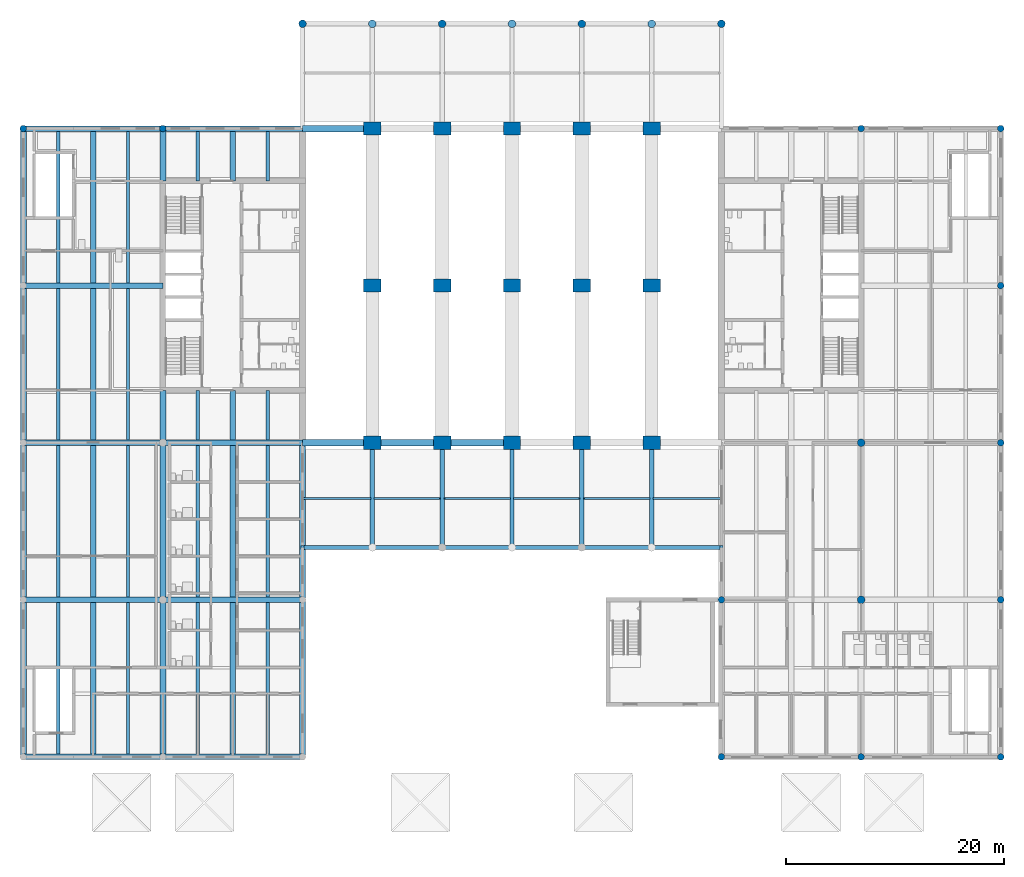
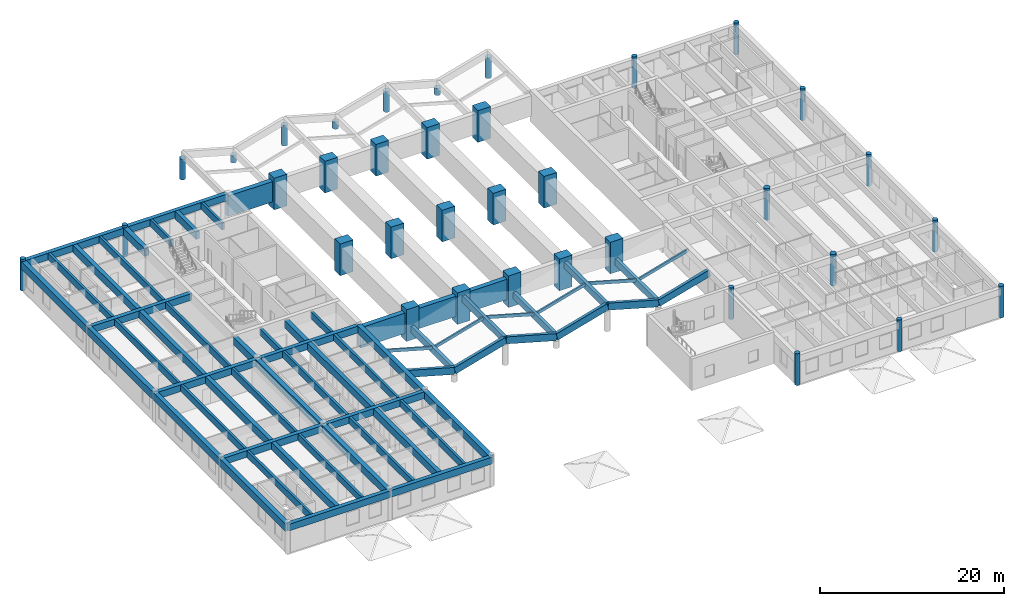
# One storey, part 2 of 19: 64 beams, 35 columns.
"""IFC4 building model written with IfcOpenShell, lengths in metres."""

import ifcopenshell
import ifcopenshell.guid

model = None  # the IFC model being written
_history = None  # IfcOwnerHistory: only IFC2X3 demands one
_inside = {}  # id of a spatial element -> (the spatial element, [elements in it])
_under = {}  # id of a project, library or spatial element -> (it, [spatial elements below it])
_declared = {}  # id of a project -> (the project, [libraries it declares])
_typed = {}  # id of a type object -> (the type object, [elements of that type])
_made_of = {}  # id of a material, layer set ... -> (it, [elements and type objects made of it])


def new_model(schema):
    """Start an empty IFC model of exactly this schema.

    Asked for "IFC4X3", IfcOpenShell would pick the latest addendum, in which some entities
    have other attributes; the version numbers below select the first issue.
    IFC2X3 requires an IfcOwnerHistory on every rooted entity: one is made here for all.
    """
    global model, _history
    if schema == "IFC4X3":
        model = ifcopenshell.file(schema_version=(4, 3, 0, 0))
    else:
        model = ifcopenshell.file(schema=schema)
    _inside.clear()
    _under.clear()
    _declared.clear()
    _typed.clear()
    _made_of.clear()
    _history = None
    if model.schema == "IFC2X3":
        org = make("IfcOrganization", Name="unknown")
        user = make(
            "IfcPersonAndOrganization",
            ThePerson=make("IfcPerson", FamilyName="unknown"),
            TheOrganization=org,
        )
        app = make(
            "IfcApplication",
            ApplicationDeveloper=org,
            Version="unknown",
            ApplicationFullName="unknown",
            ApplicationIdentifier="unknown",
        )
        _history = make(
            "IfcOwnerHistory",
            OwningUser=user,
            OwningApplication=app,
            ChangeAction="ADDED",
            CreationDate=0,
        )
    return model


def make(cls, **values):
    """One entity of the class cls with the attributes given. An attribute that is None is left unset."""
    return model.create_entity(
        cls, **{name: value for name, value in values.items() if value is not None}
    )


def rooted(cls, **values):
    """An entity with a GlobalId (a new one), such as an element, a storey or a relation."""
    return make(cls, GlobalId=ifcopenshell.guid.new(), OwnerHistory=_history, **values)


def si_unit(unit_type, name, prefix=None):
    """IfcSIUnit, for example si_unit("LENGTHUNIT", "METRE", prefix="MILLI")."""
    return make("IfcSIUnit", UnitType=unit_type, Prefix=prefix, Name=name)


def assignment(units):
    """IfcUnitAssignment: the units of a project."""
    return None if units is None else make("IfcUnitAssignment", Units=units)


def point(xyz):
    """IfcCartesianPoint."""
    return None if xyz is None else make("IfcCartesianPoint", Coordinates=xyz)


def direction(xyz):
    """IfcDirection."""
    return None if xyz is None else make("IfcDirection", DirectionRatios=xyz)


def frame(location, z_axis=None, x_axis=None):
    """IfcAxis2Placement3D, a coordinate frame: its origin and axes. An axis left out is left unset."""
    return make(
        "IfcAxis2Placement3D",
        Location=point(location),
        Axis=direction(z_axis),
        RefDirection=direction(x_axis),
    )


def frame_2d(location, x_axis=None):
    """IfcAxis2Placement2D, a coordinate frame in the plane: its origin and x axis."""
    return make(
        "IfcAxis2Placement2D", Location=point(location), RefDirection=direction(x_axis)
    )


def origin():
    """The frame at (0, 0, 0) with its axes left unset."""
    return frame((0.0, 0.0, 0.0))


def origin_2d():
    """The frame at (0, 0) in the plane with its x axis left unset."""
    return frame_2d((0.0, 0.0))


def place(relative_to, where):
    """IfcLocalPlacement: puts the frame where relative to a parent placement (None: the world)."""
    return make(
        "IfcLocalPlacement", PlacementRelTo=relative_to, RelativePlacement=where
    )


def context(
    kind, dimensions, precision=None, world=None, true_north=None, identifier=None
):
    """IfcGeometricRepresentationContext, for example the 3D "Model" context."""
    return make(
        "IfcGeometricRepresentationContext",
        ContextIdentifier=identifier,
        ContextType=kind,
        CoordinateSpaceDimension=dimensions,
        Precision=precision,
        WorldCoordinateSystem=world,
        TrueNorth=true_north,
    )


def subcontext(parent, identifier, kind, view, scale=None):
    """IfcGeometricRepresentationSubContext, for example "Body" below "Model"."""
    return make(
        "IfcGeometricRepresentationSubContext",
        ContextIdentifier=identifier,
        ContextType=kind,
        ParentContext=parent,
        TargetScale=scale,
        TargetView=view,
    )


def project(units=None, contexts=None):
    """IfcProject with its units and contexts."""
    return rooted(
        "IfcProject",
        Name="project",
        RepresentationContexts=contexts,
        UnitsInContext=assignment(units),
    )


def spatial(cls, under=None, at=None, **own):
    """A site, building, storey or space (cls), placed at a placement, below another one or the project."""
    s = rooted(cls, ObjectPlacement=at, **own)
    if under is not None:
        _under.setdefault(under.id(), (under, []))[1].append(s)
    return s


def profile(cls, at=None, kind="AREA", **sizes):
    """A parametric profile (cls). Its sizes go by their IFC names, for example OverallWidth=200.0."""
    return make(cls, ProfileType=kind, Position=at, **sizes)


def rectangle(**sizes):
    """IfcRectangleProfileDef."""
    return profile("IfcRectangleProfileDef", **sizes)


def circle(**sizes):
    """IfcCircleProfileDef."""
    return profile("IfcCircleProfileDef", **sizes)


def extrude(swept, where, along, depth):
    """IfcExtrudedAreaSolid: the profile swept, set in the frame where, extruded along a direction by depth."""
    return make(
        "IfcExtrudedAreaSolid",
        SweptArea=swept,
        Position=where,
        ExtrudedDirection=direction(along),
        Depth=depth,
    )


def shape(context_of_items, identifier, shape_type, items):
    """IfcShapeRepresentation: the items that make up one representation, for example the "Body"."""
    return make(
        "IfcShapeRepresentation",
        ContextOfItems=context_of_items,
        RepresentationIdentifier=identifier,
        RepresentationType=shape_type,
        Items=items,
    )


def material(Name=None, Category=None):
    """IfcMaterial."""
    return make("IfcMaterial", Name=Name, Category=Category)


def material_profile(
    of_material, cross_section, Name=None, Category=None, Priority=None
):
    """IfcMaterialProfile: a cross section and its material."""
    return make(
        "IfcMaterialProfile",
        Name=Name,
        Material=of_material,
        Profile=cross_section,
        Priority=Priority,
        Category=Category,
    )


def profile_set(profiles, Name=None, composite=None):
    """IfcMaterialProfileSet."""
    return make(
        "IfcMaterialProfileSet",
        Name=Name,
        MaterialProfiles=profiles,
        CompositeProfile=composite,
    )


def made_of(thing, what):
    """Note that an element or type object is made of a material, layer set ...; save() writes the relation."""
    if what is not None:
        _made_of.setdefault(what.id(), (what, []))[1].append(thing)
    return thing


def type_object(cls, material=None, **own):
    """A type object (cls), such as IfcWallType, which elements share."""
    return made_of(rooted(cls, **own), material)


def element(
    cls,
    number,
    at=None,
    inside=None,
    cuts=None,
    type_object=None,
    material=None,
    context=None,
    identifier="Body",
    shape_type=None,
    held_by="IfcProductDefinitionShape",
    body=None,
    shapes=None,
    **own,
):
    """One element of the class cls, such as IfcWall. Its Tag is "e" and its number.

    at: its placement. inside: the storey or other place that contains it. cuts: it is an
    opening in that element (IfcRelVoidsElement). A single representation is given by context,
    identifier, shape_type and body (its items); several are given by shapes. held_by: the class
    of the entity that holds the representations. save() writes the other relations.
    """
    e = rooted(cls, Tag="e%d" % number, ObjectPlacement=at, **own)
    if body is not None:
        shapes = [shape(context, identifier, shape_type, body)]
    if shapes is not None:
        e.Representation = make(held_by, Representations=shapes)
    if inside is not None:
        _inside.setdefault(inside.id(), (inside, []))[1].append(e)
    if cuts is not None:
        rooted(
            "IfcRelVoidsElement", RelatingBuildingElement=cuts, RelatedOpeningElement=e
        )
    if type_object is not None:
        _typed.setdefault(type_object.id(), (type_object, []))[1].append(e)
    return made_of(e, material)


def aggregate(whole, parts):
    """IfcRelAggregates: a whole, such as a stair, and the parts it consists of."""
    return rooted("IfcRelAggregates", RelatingObject=whole, RelatedObjects=parts)


def save(model, path):
    """Write the relations noted so far, then the file.

    IfcRelAggregates (storeys below a building ...), IfcRelContainedInSpatialStructure (elements
    in a storey), IfcRelDefinesByType, IfcRelAssociatesMaterial and IfcRelDeclares: one each for
    every whole, place, type object, material and project.
    """
    for whole, parts in _under.values():
        aggregate(whole, parts)
    for where, things in _inside.values():
        rooted(
            "IfcRelContainedInSpatialStructure",
            RelatedElements=things,
            RelatingStructure=where,
        )
    for kind, things in _typed.values():
        rooted("IfcRelDefinesByType", RelatedObjects=things, RelatingType=kind)
    for what, things in _made_of.values():
        rooted("IfcRelAssociatesMaterial", RelatedObjects=things, RelatingMaterial=what)
    for by, libraries in _declared.values():
        rooted("IfcRelDeclares", RelatingContext=by, RelatedDefinitions=libraries)
    model.write(path)


model = new_model("IFC4")

# Units and contexts
model_context = context("Model", 3, precision=1e-05, world=origin(), true_north=direction((0.0, 1.0)))
body_context = subcontext(model_context, "Body", "Model", "MODEL_VIEW")
ifc_project = project(units=[si_unit("LENGTHUNIT", "METRE"), si_unit("AREAUNIT", "SQUARE_METRE"), si_unit("VOLUMEUNIT", "CUBIC_METRE"), si_unit("PLANEANGLEUNIT", "RADIAN"), si_unit("MASSUNIT", "GRAM", prefix="KILO")], contexts=[model_context])

# Site, building, storey
site_placement = place(None, origin())
site = spatial("IfcSite", under=ifc_project, at=site_placement, CompositionType="ELEMENT")
building_placement = place(site_placement, origin())
building = spatial("IfcBuilding", under=site, at=building_placement, Name="Fogon Plaza Fire Station and Headquarters Tower", CompositionType="ELEMENT")
storey_placement = place(building_placement, frame((0.0, 0.0, 4.199951171875)))
storey = spatial("IfcBuildingStorey", under=building, at=storey_placement, Name="L01", CompositionType="ELEMENT", Elevation=4.199951171875)

# Columns
ifc_material_1 = material(Name="Concrete C40", Category="concrete")
ifc_material_profile_1 = material_profile(ifc_material_1, rectangle(XDim=1.60009765625, YDim=1.199951171875, at=origin_2d()), Name="RC 1600x1200")
ifc_profile_set_1 = profile_set([ifc_material_profile_1], Name="Concrete C40")
column_type_1 = type_object("IfcColumnType", Name="COLUMN RC 1600x1200", PredefinedType="PILASTER", material=ifc_profile_set_1)
for number, where, z_axis, x_axis, name in (
    (1, (32.0, 28.800048828125, 0.0), (0.0, 0.0, 1.0), (1.0, 0.0, 0.0), "col-L01-4D"),
    (2, (32.0, 43.199951171875, 0.0), (0.0, 0.0, 1.0), (1.0, 0.0, 0.0), "col-L01-4F"),
    (3, (32.0, 57.60009765625, 0.0), (0.0, 0.0, 1.0), (1.0, 0.0, 0.0), "col-L01-4H"),
    (4, (38.39990234375, 28.800048828125, 0.0), (0.0, 0.0, 1.0), (1.0, 0.0, 0.0), "col-L01-5D"),
    (5, (38.39990234375, 43.199951171875, 0.0), (0.0, 0.0, 1.0), (1.0, 0.0, 0.0), "col-L01-5F"),
    (6, (38.39990234375, 57.60009765625, 0.0), (0.0, 0.0, 1.0), (1.0, 0.0, 0.0), "col-L01-5H"),
    (7, (44.800048828125, 28.800048828125, 0.0), (0.0, 0.0, 1.0), (1.0, 0.0, 0.0), "col-L01-6D"),
    (8, (44.800048828125, 43.199951171875, 0.0), (0.0, 0.0, 1.0), (1.0, 0.0, 0.0), "col-L01-6F"),
    (9, (44.800048828125, 57.60009765625, 0.0), (0.0, 0.0, 1.0), (1.0, 0.0, 0.0), "col-L01-6H"),
    (10, (51.199951171875, 28.800048828125, 0.0), (0.0, 0.0, 1.0), (1.0, 0.0, 0.0), "col-L01-7D"),
    (11, (51.199951171875, 43.199951171875, 0.0), (0.0, 0.0, 1.0), (1.0, 0.0, 0.0), "col-L01-7F"),
    (12, (51.199951171875, 57.60009765625, 0.0), (0.0, 0.0, 1.0), (1.0, 0.0, 0.0), "col-L01-7H"),
    (13, (57.60009765625, 28.800048828125, 0.0), (0.0, 0.0, 1.0), (1.0, 0.0, 0.0), "col-L01-8D"),
    (14, (57.60009765625, 43.199951171875, 0.0), (0.0, 0.0, 1.0), (1.0, 0.0, 0.0), "col-L01-8F"),
    (15, (57.60009765625, 57.60009765625, 0.0), (0.0, 0.0, 1.0), (1.0, 0.0, 0.0), "col-L01-8H"),
):
    element("IfcColumn", number, at=place(storey_placement, frame(where, z_axis=z_axis, x_axis=x_axis)), inside=storey, type_object=column_type_1, Name=name, PredefinedType="PILASTER", context=body_context, shape_type="SweptSolid", body=[
        extrude(rectangle(XDim=1.60009765625, YDim=1.199951171875, at=origin_2d()), origin(), (0.0, 0.0, 1.0), 4.199951171875),
    ])
ifc_material_2 = material(Name="Concrete C40", Category="concrete")
ifc_material_profile_2 = material_profile(ifc_material_2, circle(Radius=0.300048828125, at=origin_2d()), Name="RC D600")
ifc_profile_set_2 = profile_set([ifc_material_profile_2], Name="Concrete C40")
column_type_2 = type_object("IfcColumnType", Name="COLUMN RC D600", PredefinedType="COLUMN", material=ifc_profile_set_2)
for number, where, z_axis, x_axis, name in (
    (16, (0.0, 57.60009765625, 0.0), (0.0, 0.0, 1.0), (1.0, 0.0, 0.0), "col-L01-1H"),
    (17, (12.800048828125, 57.60009765625, 0.0), (0.0, 0.0, 1.0), (1.0, 0.0, 0.0), "col-L01-2H"),
    (18, (89.60009765625, 0.0, 0.0), (0.0, 0.0, 1.0), (1.0, 0.0, 0.0), "col-L01-11A"),
    (19, (89.60009765625, 14.39990234375, 0.0), (0.0, 0.0, 1.0), (1.0, 0.0, 0.0), "col-L01-11B"),
    (20, (89.60009765625, 28.800048828125, 0.0), (0.0, 0.0, 1.0), (1.0, 0.0, 0.0), "col-L01-11D"),
    (21, (89.60009765625, 43.199951171875, 0.0), (0.0, 0.0, 1.0), (1.0, 0.0, 0.0), "col-L01-11F"),
    (22, (89.60009765625, 57.60009765625, 0.0), (0.0, 0.0, 1.0), (1.0, 0.0, 0.0), "col-L01-11H"),
    (23, (76.800048828125, 0.0, 0.0), (0.0, 0.0, 1.0), (1.0, 0.0, 0.0), "col-L01-10A"),
    (24, (76.800048828125, 57.60009765625, 0.0), (0.0, 0.0, 1.0), (1.0, 0.0, 0.0), "col-L01-10H"),
    (25, (64.0, 0.0, 0.0), (0.0, 0.0, 1.0), (1.0, 0.0, 0.0), "col-L01-9A"),
    (26, (64.0, 14.39990234375, 0.0), (0.0, 0.0, 1.0), (1.0, 0.0, 0.0), "col-L01-9B"),
):
    element("IfcColumn", number, at=place(storey_placement, frame(where, z_axis=z_axis, x_axis=x_axis)), inside=storey, type_object=column_type_2, Name=name, PredefinedType="COLUMN", context=body_context, shape_type="SweptSolid", body=[
        extrude(circle(Radius=0.300048828125, at=origin_2d()), origin(), (0.0, 0.0, 1.0), 4.199951171875),
    ])
ifc_material_3 = material(Name="Concrete C40", Category="concrete")
ifc_material_profile_3 = material_profile(ifc_material_3, circle(Radius=0.35009765625, at=origin_2d()), Name="RC D700")
ifc_profile_set_3 = profile_set([ifc_material_profile_3], Name="Concrete C40")
column_type_3 = type_object("IfcColumnType", Name="COLUMN RC D700", PredefinedType="COLUMN", material=ifc_profile_set_3)
for number, where, z_axis, x_axis, name in (
    (27, (76.800048828125, 14.39990234375, 0.0), (0.0, 0.0, 1.0), (1.0, 0.0, 0.0), "col-L01-10B"),
    (28, (76.800048828125, 28.800048828125, 0.0), (0.0, 0.0, 1.0), (1.0, 0.0, 0.0), "col-L01-10D"),
):
    element("IfcColumn", number, at=place(storey_placement, frame(where, z_axis=z_axis, x_axis=x_axis)), inside=storey, type_object=column_type_3, Name=name, PredefinedType="COLUMN", context=body_context, shape_type="SweptSolid", body=[
        extrude(circle(Radius=0.35009765625, at=origin_2d()), origin(), (0.0, 0.0, 1.0), 4.199951171875),
    ])
column_1_placement = place(storey_placement, frame((25.60009765625, 67.199951171875, 0.0), z_axis=(0.0, 0.0, 1.0), x_axis=(1.0, 0.0, 0.0)))
element("IfcColumn", 29, at=column_1_placement, inside=storey, type_object=column_type_3, Name="col-L01-CF3", PredefinedType="COLUMN", context=body_context, shape_type="SweptSolid", body=[
    extrude(circle(Radius=0.35009765625, at=origin_2d()), origin(), (0.0, 0.0, 1.0), 2.75),
])
column_2_placement = place(storey_placement, frame((32.0, 67.199951171875, 0.0), z_axis=(0.0, 0.0, 1.0), x_axis=(1.0, 0.0, 0.0)))
element("IfcColumn", 30, at=column_2_placement, inside=storey, type_object=column_type_3, Name="col-L01-CF4", PredefinedType="COLUMN", context=body_context, shape_type="SweptSolid", body=[
    extrude(circle(Radius=0.35009765625, at=origin_2d()), origin(), (0.0, 0.0, 1.0), 0.949951171875),
])
column_3_placement = place(storey_placement, frame((38.39990234375, 67.199951171875, 0.0), z_axis=(0.0, 0.0, 1.0), x_axis=(1.0, 0.0, 0.0)))
element("IfcColumn", 31, at=column_3_placement, inside=storey, type_object=column_type_3, Name="col-L01-CF5", PredefinedType="COLUMN", context=body_context, shape_type="SweptSolid", body=[
    extrude(circle(Radius=0.35009765625, at=origin_2d()), origin(), (0.0, 0.0, 1.0), 2.75),
])
column_4_placement = place(storey_placement, frame((44.800048828125, 67.199951171875, 0.0), z_axis=(0.0, 0.0, 1.0), x_axis=(1.0, 0.0, 0.0)))
element("IfcColumn", 32, at=column_4_placement, inside=storey, type_object=column_type_3, Name="col-L01-CF6", PredefinedType="COLUMN", context=body_context, shape_type="SweptSolid", body=[
    extrude(circle(Radius=0.35009765625, at=origin_2d()), origin(), (0.0, 0.0, 1.0), 0.949951171875),
])
column_5_placement = place(storey_placement, frame((51.199951171875, 67.199951171875, 0.0), z_axis=(0.0, 0.0, 1.0), x_axis=(1.0, 0.0, 0.0)))
element("IfcColumn", 33, at=column_5_placement, inside=storey, type_object=column_type_3, Name="col-L01-CF7", PredefinedType="COLUMN", context=body_context, shape_type="SweptSolid", body=[
    extrude(circle(Radius=0.35009765625, at=origin_2d()), origin(), (0.0, 0.0, 1.0), 2.75),
])
column_6_placement = place(storey_placement, frame((57.60009765625, 67.199951171875, 0.0), z_axis=(0.0, 0.0, 1.0), x_axis=(1.0, 0.0, 0.0)))
element("IfcColumn", 34, at=column_6_placement, inside=storey, type_object=column_type_3, Name="col-L01-CF8", PredefinedType="COLUMN", context=body_context, shape_type="SweptSolid", body=[
    extrude(circle(Radius=0.35009765625, at=origin_2d()), origin(), (0.0, 0.0, 1.0), 0.949951171875),
])
column_7_placement = place(storey_placement, frame((64.0, 67.199951171875, 0.0), z_axis=(0.0, 0.0, 1.0), x_axis=(1.0, 0.0, 0.0)))
element("IfcColumn", 35, at=column_7_placement, inside=storey, type_object=column_type_3, Name="col-L01-CF9", PredefinedType="COLUMN", context=body_context, shape_type="SweptSolid", body=[
    extrude(circle(Radius=0.35009765625, at=origin_2d()), origin(), (0.0, 0.0, 1.0), 2.75),
])

# Beams
ifc_material_4 = material(Name="Concrete C40", Category="concrete")
ifc_material_profile_4 = material_profile(ifc_material_4, rectangle(XDim=0.199951171875, YDim=0.39990234375, at=origin_2d()), Name="RC 200x400")
ifc_profile_set_4 = profile_set([ifc_material_profile_4], Name="Concrete C40")
beam_type_1 = type_object("IfcBeamType", Name="BEAM RC 200x400", PredefinedType="BEAM", material=ifc_profile_set_4)
beam_1_placement = place(storey_placement, frame((25.60009765625, 23.699951171875, 3.449951171875), z_axis=(0.962654336292, 0.0, -0.270733501469), x_axis=(0.0, 1.0, 0.0)))
element("IfcBeam", 36, at=beam_1_placement, inside=storey, type_object=beam_type_1, Name="beam-L01-RCR1", PredefinedType="BEAM", context=body_context, shape_type="SweptSolid", body=[
    extrude(rectangle(XDim=0.199951171875, YDim=0.39990234375, at=origin_2d()), origin(), (0.0, 0.0, 1.0), 6.4404296875),
])
for number, where, z_axis, x_axis, name in (
    (37, (32.199951171875, 23.699951171875, 1.706298828125), (0.962650940154, 0.0, 0.270745576918), (0.0, 1.0, 0.0), "beam-L01-RCR2"),
    (38, (38.60009765625, 23.699951171875, 3.393798828125), (0.962650940154, 0.0, -0.270745576918), (0.0, 1.0, 0.0), "beam-L01-RCR3"),
    (39, (45.0, 23.699951171875, 1.706298828125), (0.962650940154, 0.0, 0.270745576918), (0.0, 1.0, 0.0), "beam-L01-RCR4"),
    (40, (51.39990234375, 23.699951171875, 3.393798828125), (0.962650940154, 0.0, -0.270745576918), (0.0, 1.0, 0.0), "beam-L01-RCR5"),
):
    element("IfcBeam", number, at=place(storey_placement, frame(where, z_axis=z_axis, x_axis=x_axis)), inside=storey, type_object=beam_type_1, Name=name, PredefinedType="BEAM", context=body_context, shape_type="SweptSolid", body=[
        extrude(rectangle(XDim=0.199951171875, YDim=0.39990234375, at=origin_2d()), origin(), (0.0, 0.0, 1.0), 6.23291015625),
    ])
beam_2_placement = place(storey_placement, frame((57.800048828125, 23.699951171875, 1.706298828125), z_axis=(0.962654336292, 0.0, 0.270733501469), x_axis=(0.0, 1.0, 0.0)))
element("IfcBeam", 41, at=beam_2_placement, inside=storey, type_object=beam_type_1, Name="beam-L01-RCR6", PredefinedType="BEAM", context=body_context, shape_type="SweptSolid", body=[
    extrude(rectangle(XDim=0.199951171875, YDim=0.39990234375, at=origin_2d()), origin(), (0.0, 0.0, 1.0), 6.4404296875),
])
ifc_material_5 = material(Name="Concrete C40", Category="concrete")
ifc_material_profile_5 = material_profile(ifc_material_5, rectangle(XDim=0.39990234375, YDim=0.89990234375, at=origin_2d()), Name="RC 400x900")
ifc_profile_set_5 = profile_set([ifc_material_profile_5], Name="Concrete C40")
beam_type_2 = type_object("IfcBeamType", Name="BEAM RC 400x900", PredefinedType="BEAM", material=ifc_profile_set_5)
for number, where, z_axis, x_axis, name in (
    (42, (32.0, 28.800048828125, 1.400146484375), (0.0, -1.0, 0.0), (1.0, 0.0, 0.0), "beam-L01-CFR2"),
    (43, (38.39990234375, 28.800048828125, 3.199951171875), (0.0, -1.0, 0.0), (1.0, 0.0, 0.0), "beam-L01-CFR3"),
    (44, (44.800048828125, 28.800048828125, 1.400146484375), (0.0, -1.0, 0.0), (1.0, 0.0, 0.0), "beam-L01-CFR4"),
    (45, (51.199951171875, 28.800048828125, 3.199951171875), (0.0, -1.0, 0.0), (1.0, 0.0, 0.0), "beam-L01-CFR5"),
    (46, (57.60009765625, 28.800048828125, 1.400146484375), (0.0, -1.0, 0.0), (1.0, 0.0, 0.0), "beam-L01-CFR6"),
):
    element("IfcBeam", number, at=place(storey_placement, frame(where, z_axis=z_axis, x_axis=x_axis)), inside=storey, type_object=beam_type_2, Name=name, PredefinedType="BEAM", context=body_context, shape_type="SweptSolid", body=[
        extrude(rectangle(XDim=0.39990234375, YDim=0.89990234375, at=origin_2d()), origin(), (0.0, 0.0, 1.0), 9.60009765625),
    ])
ifc_material_6 = material(Name="Concrete C40", Category="concrete")
ifc_material_profile_6 = material_profile(ifc_material_6, rectangle(XDim=0.39990234375, YDim=0.89990234375, at=origin_2d()), Name="RC 400x900")
ifc_profile_set_6 = profile_set([ifc_material_profile_6], Name="Concrete C40")
beam_type_3 = type_object("IfcBeamType", Name="BEAM RC 400x900 SPAN 4.8 TO 7.7 M", PredefinedType="BEAM", material=ifc_profile_set_6)
for number, where, z_axis, x_axis, name in (
    (47, (25.60009765625, 19.199951171875, 3.199951171875), (0.962657520105, 0.0, -0.270722180446), (0.0, 1.0, 0.0), "beam-L01-CBR1"),
    (48, (32.0, 19.199951171875, 1.400146484375), (0.962657520105, 0.0, 0.270722180446), (0.0, 1.0, 0.0), "beam-L01-CBR2"),
):
    element("IfcBeam", number, at=place(storey_placement, frame(where, z_axis=z_axis, x_axis=x_axis)), inside=storey, type_object=beam_type_3, Name=name, PredefinedType="BEAM", context=body_context, shape_type="SweptSolid", body=[
        extrude(rectangle(XDim=0.39990234375, YDim=0.89990234375, at=origin_2d()), origin(), (0.0, 0.0, 1.0), 6.648193359375),
    ])
beam_3_placement = place(storey_placement, frame((38.39990234375, 19.199951171875, 3.199951171875), z_axis=(0.962660211411, 0.0, -0.270712610281), x_axis=(0.0, 1.0, 0.0)))
element("IfcBeam", 49, at=beam_3_placement, inside=storey, type_object=beam_type_3, Name="beam-L01-CBR3", PredefinedType="BEAM", context=body_context, shape_type="SweptSolid", body=[
    extrude(rectangle(XDim=0.39990234375, YDim=0.89990234375, at=origin_2d()), origin(), (0.0, 0.0, 1.0), 6.6484375),
])
beam_4_placement = place(storey_placement, frame((44.800048828125, 19.199951171875, 1.400146484375), z_axis=(0.962657520105, 0.0, 0.270722180446), x_axis=(0.0, 1.0, 0.0)))
element("IfcBeam", 50, at=beam_4_placement, inside=storey, type_object=beam_type_3, Name="beam-L01-CBR4", PredefinedType="BEAM", context=body_context, shape_type="SweptSolid", body=[
    extrude(rectangle(XDim=0.39990234375, YDim=0.89990234375, at=origin_2d()), origin(), (0.0, 0.0, 1.0), 6.648193359375),
])
beam_5_placement = place(storey_placement, frame((51.199951171875, 19.199951171875, 3.199951171875), z_axis=(0.962660211411, 0.0, -0.270712610281), x_axis=(0.0, 1.0, 0.0)))
element("IfcBeam", 51, at=beam_5_placement, inside=storey, type_object=beam_type_3, Name="beam-L01-CBR5", PredefinedType="BEAM", context=body_context, shape_type="SweptSolid", body=[
    extrude(rectangle(XDim=0.39990234375, YDim=0.89990234375, at=origin_2d()), origin(), (0.0, 0.0, 1.0), 6.6484375),
])
beam_6_placement = place(storey_placement, frame((57.60009765625, 19.199951171875, 1.400146484375), z_axis=(0.962657520105, 0.0, 0.270722180446), x_axis=(0.0, 1.0, 0.0)))
element("IfcBeam", 52, at=beam_6_placement, inside=storey, type_object=beam_type_3, Name="beam-L01-CBR6", PredefinedType="BEAM", context=body_context, shape_type="SweptSolid", body=[
    extrude(rectangle(XDim=0.39990234375, YDim=0.89990234375, at=origin_2d()), origin(), (0.0, 0.0, 1.0), 6.648193359375),
])
ifc_material_7 = material(Name="Concrete C40", Category="concrete")
ifc_material_profile_7 = material_profile(ifc_material_7, rectangle(XDim=0.5, YDim=0.89990234375, at=origin_2d()), Name="RC 500x900")
ifc_profile_set_7 = profile_set([ifc_material_profile_7], Name="Concrete C40")
beam_type_4 = type_object("IfcBeamType", Name="BEAM RC 500x900", PredefinedType="BEAM", material=ifc_profile_set_7)
for number, where, z_axis, x_axis, name in (
    (53, (0.0, 0.0, 3.449951171875), (1.0, 0.0, 0.0), (0.0, 1.0, 0.0), "beam-L01-001"),
    (54, (12.800048828125, 0.0, 3.449951171875), (1.0, 0.0, 0.0), (0.0, 1.0, 0.0), "beam-L01-003"),
    (55, (0.0, 14.39990234375, 3.449951171875), (1.0, 0.0, 0.0), (0.0, 1.0, 0.0), "beam-L01-005"),
    (56, (12.800048828125, 14.39990234375, 3.449951171875), (1.0, 0.0, 0.0), (0.0, 1.0, 0.0), "beam-L01-007"),
    (57, (0.0, 28.800048828125, 3.449951171875), (1.0, 0.0, 0.0), (0.0, 1.0, 0.0), "beam-L01-009"),
    (58, (12.800048828125, 28.800048828125, 3.449951171875), (1.0, 0.0, 0.0), (0.0, 1.0, 0.0), "beam-L01-011"),
    (59, (0.0, 43.199951171875, 3.449951171875), (1.0, 0.0, 0.0), (0.0, 1.0, 0.0), "beam-L01-013"),
    (60, (0.0, 57.60009765625, 3.449951171875), (1.0, 0.0, 0.0), (0.0, 1.0, 0.0), "beam-L01-015"),
    (61, (12.800048828125, 57.60009765625, 3.449951171875), (1.0, 0.0, 0.0), (0.0, 1.0, 0.0), "beam-L01-017"),
):
    element("IfcBeam", number, at=place(storey_placement, frame(where, z_axis=z_axis, x_axis=x_axis)), inside=storey, type_object=beam_type_4, Name=name, PredefinedType="BEAM", context=body_context, shape_type="SweptSolid", body=[
        extrude(rectangle(XDim=0.5, YDim=0.89990234375, at=origin_2d()), origin(), (0.0, 0.0, 1.0), 12.800048828125),
    ])
ifc_material_8 = material(Name="Concrete C40", Category="concrete")
ifc_material_profile_8 = material_profile(ifc_material_8, rectangle(XDim=0.550048828125, YDim=1.0, at=origin_2d()), Name="RC 550x1000")
ifc_profile_set_8 = profile_set([ifc_material_profile_8], Name="Concrete C40")
beam_type_5 = type_object("IfcBeamType", Name="BEAM RC 550x1000", PredefinedType="BEAM", material=ifc_profile_set_8)
beam_7_placement = place(storey_placement, frame((0.0, 0.0, 3.400146484375), z_axis=(0.0, 1.0, 0.0), x_axis=(-1.0, 0.0, 0.0)))
element("IfcBeam", 62, at=beam_7_placement, inside=storey, type_object=beam_type_5, Name="beam-L01-019", PredefinedType="BEAM", context=body_context, shape_type="SweptSolid", body=[
    extrude(rectangle(XDim=0.550048828125, YDim=1.0, at=origin_2d()), origin(), (0.0, 0.0, 1.0), 14.39990234375),
])
beam_8_placement = place(storey_placement, frame((0.0, 14.39990234375, 3.400146484375), z_axis=(0.0, 1.0, 0.0), x_axis=(-1.0, 0.0, 0.0)))
element("IfcBeam", 63, at=beam_8_placement, inside=storey, type_object=beam_type_5, Name="beam-L01-021", PredefinedType="BEAM", context=body_context, shape_type="SweptSolid", body=[
    extrude(rectangle(XDim=0.550048828125, YDim=1.0, at=origin_2d()), origin(), (0.0, 0.0, 1.0), 14.400146484375),
])
beam_9_placement = place(storey_placement, frame((0.0, 28.800048828125, 3.400146484375), z_axis=(0.0, 1.0, 0.0), x_axis=(-1.0, 0.0, 0.0)))
element("IfcBeam", 64, at=beam_9_placement, inside=storey, type_object=beam_type_5, Name="beam-L01-023", PredefinedType="BEAM", context=body_context, shape_type="SweptSolid", body=[
    extrude(rectangle(XDim=0.550048828125, YDim=1.0, at=origin_2d()), origin(), (0.0, 0.0, 1.0), 14.39990234375),
])
beam_10_placement = place(storey_placement, frame((0.0, 43.199951171875, 3.400146484375), z_axis=(0.0, 1.0, 0.0), x_axis=(-1.0, 0.0, 0.0)))
element("IfcBeam", 65, at=beam_10_placement, inside=storey, type_object=beam_type_5, Name="beam-L01-025", PredefinedType="BEAM", context=body_context, shape_type="SweptSolid", body=[
    extrude(rectangle(XDim=0.550048828125, YDim=1.0, at=origin_2d()), origin(), (0.0, 0.0, 1.0), 14.400146484375),
])
beam_11_placement = place(storey_placement, frame((12.800048828125, 0.0, 3.400146484375), z_axis=(0.0, 1.0, 0.0), x_axis=(-1.0, 0.0, 0.0)))
element("IfcBeam", 66, at=beam_11_placement, inside=storey, type_object=beam_type_5, Name="beam-L01-027", PredefinedType="BEAM", context=body_context, shape_type="SweptSolid", body=[
    extrude(rectangle(XDim=0.550048828125, YDim=1.0, at=origin_2d()), origin(), (0.0, 0.0, 1.0), 14.39990234375),
])
beam_12_placement = place(storey_placement, frame((12.800048828125, 14.39990234375, 3.400146484375), z_axis=(0.0, 1.0, 0.0), x_axis=(-1.0, 0.0, 0.0)))
element("IfcBeam", 67, at=beam_12_placement, inside=storey, type_object=beam_type_5, Name="beam-L01-029", PredefinedType="BEAM", context=body_context, shape_type="SweptSolid", body=[
    extrude(rectangle(XDim=0.550048828125, YDim=1.0, at=origin_2d()), origin(), (0.0, 0.0, 1.0), 14.400146484375),
])
beam_13_placement = place(storey_placement, frame((25.60009765625, 0.0, 3.400146484375), z_axis=(0.0, 1.0, 0.0), x_axis=(-1.0, 0.0, 0.0)))
element("IfcBeam", 68, at=beam_13_placement, inside=storey, type_object=beam_type_5, Name="beam-L01-031", PredefinedType="BEAM", context=body_context, shape_type="SweptSolid", body=[
    extrude(rectangle(XDim=0.550048828125, YDim=1.0, at=origin_2d()), origin(), (0.0, 0.0, 1.0), 14.39990234375),
])
beam_14_placement = place(storey_placement, frame((25.60009765625, 14.39990234375, 3.400146484375), z_axis=(0.0, 1.0, 0.0), x_axis=(-1.0, 0.0, 0.0)))
element("IfcBeam", 69, at=beam_14_placement, inside=storey, type_object=beam_type_5, Name="beam-L01-033", PredefinedType="BEAM", context=body_context, shape_type="SweptSolid", body=[
    extrude(rectangle(XDim=0.550048828125, YDim=1.0, at=origin_2d()), origin(), (0.0, 0.0, 1.0), 14.400146484375),
])
ifc_material_9 = material(Name="Concrete C40", Category="concrete")
ifc_material_profile_9 = material_profile(ifc_material_9, rectangle(XDim=0.550048828125, YDim=1.0, at=origin_2d()), Name="RC 550x1000")
ifc_profile_set_9 = profile_set([ifc_material_profile_9], Name="Concrete C40")
beam_type_6 = type_object("IfcBeamType", Name="BEAM RC 550x1000 SPAN 3.0 TO 4.8 M", PredefinedType="BEAM", material=ifc_profile_set_9)
for number, where, z_axis, x_axis, name in (
    (70, (12.800048828125, 28.800048828125, 3.400146484375), (0.0, 1.0, 0.0), (-1.0, 0.0, 0.0), "beam-L01-035"),
    (71, (12.800048828125, 52.800048828125, 3.400146484375), (0.0, 1.0, 0.0), (-1.0, 0.0, 0.0), "beam-L01-037"),
):
    element("IfcBeam", number, at=place(storey_placement, frame(where, z_axis=z_axis, x_axis=x_axis)), inside=storey, type_object=beam_type_6, Name=name, PredefinedType="BEAM", context=body_context, shape_type="SweptSolid", body=[
        extrude(rectangle(XDim=0.550048828125, YDim=1.0, at=origin_2d()), origin(), (0.0, 0.0, 1.0), 4.800048828125),
    ])
ifc_material_10 = material(Name="Concrete C40", Category="concrete")
ifc_material_profile_10 = material_profile(ifc_material_10, rectangle(XDim=0.300048828125, YDim=0.89990234375, at=origin_2d()), Name="RC 300x900")
ifc_profile_set_10 = profile_set([ifc_material_profile_10], Name="Concrete C40")
beam_type_7 = type_object("IfcBeamType", Name="JOIST RC 300x900", PredefinedType="JOIST", material=ifc_profile_set_10)
beam_15_placement = place(storey_placement, frame((3.199951171875, 0.25, 3.449951171875), z_axis=(0.0, 1.0, 0.0), x_axis=(-1.0, 0.0, 0.0)))
element("IfcBeam", 72, at=beam_15_placement, inside=storey, type_object=beam_type_7, Name="beam-L01-055", PredefinedType="JOIST", context=body_context, shape_type="SweptSolid", body=[
    extrude(rectangle(XDim=0.300048828125, YDim=0.89990234375, at=origin_2d()), origin(), (0.0, 0.0, 1.0), 13.89990234375),
])
beam_16_placement = place(storey_placement, frame((3.199951171875, 14.64990234375, 3.449951171875), z_axis=(0.0, 1.0, 0.0), x_axis=(-1.0, 0.0, 0.0)))
element("IfcBeam", 73, at=beam_16_placement, inside=storey, type_object=beam_type_7, Name="beam-L01-057", PredefinedType="JOIST", context=body_context, shape_type="SweptSolid", body=[
    extrude(rectangle(XDim=0.300048828125, YDim=0.89990234375, at=origin_2d()), origin(), (0.0, 0.0, 1.0), 13.900146484375),
])
beam_17_placement = place(storey_placement, frame((3.199951171875, 29.050048828125, 3.449951171875), z_axis=(0.0, 1.0, 0.0), x_axis=(-1.0, 0.0, 0.0)))
element("IfcBeam", 74, at=beam_17_placement, inside=storey, type_object=beam_type_7, Name="beam-L01-059", PredefinedType="JOIST", context=body_context, shape_type="SweptSolid", body=[
    extrude(rectangle(XDim=0.300048828125, YDim=0.89990234375, at=origin_2d()), origin(), (0.0, 0.0, 1.0), 13.89990234375),
])
beam_18_placement = place(storey_placement, frame((3.199951171875, 43.449951171875, 3.449951171875), z_axis=(0.0, 1.0, 0.0), x_axis=(-1.0, 0.0, 0.0)))
element("IfcBeam", 75, at=beam_18_placement, inside=storey, type_object=beam_type_7, Name="beam-L01-061", PredefinedType="JOIST", context=body_context, shape_type="SweptSolid", body=[
    extrude(rectangle(XDim=0.300048828125, YDim=0.89990234375, at=origin_2d()), origin(), (0.0, 0.0, 1.0), 13.900146484375),
])
beam_19_placement = place(storey_placement, frame((9.60009765625, 0.25, 3.449951171875), z_axis=(0.0, 1.0, 0.0), x_axis=(-1.0, 0.0, 0.0)))
element("IfcBeam", 76, at=beam_19_placement, inside=storey, type_object=beam_type_7, Name="beam-L01-063", PredefinedType="JOIST", context=body_context, shape_type="SweptSolid", body=[
    extrude(rectangle(XDim=0.300048828125, YDim=0.89990234375, at=origin_2d()), origin(), (0.0, 0.0, 1.0), 13.89990234375),
])
beam_20_placement = place(storey_placement, frame((9.60009765625, 14.64990234375, 3.449951171875), z_axis=(0.0, 1.0, 0.0), x_axis=(-1.0, 0.0, 0.0)))
element("IfcBeam", 77, at=beam_20_placement, inside=storey, type_object=beam_type_7, Name="beam-L01-065", PredefinedType="JOIST", context=body_context, shape_type="SweptSolid", body=[
    extrude(rectangle(XDim=0.300048828125, YDim=0.89990234375, at=origin_2d()), origin(), (0.0, 0.0, 1.0), 13.900146484375),
])
beam_21_placement = place(storey_placement, frame((9.60009765625, 29.050048828125, 3.449951171875), z_axis=(0.0, 1.0, 0.0), x_axis=(-1.0, 0.0, 0.0)))
element("IfcBeam", 78, at=beam_21_placement, inside=storey, type_object=beam_type_7, Name="beam-L01-067", PredefinedType="JOIST", context=body_context, shape_type="SweptSolid", body=[
    extrude(rectangle(XDim=0.300048828125, YDim=0.89990234375, at=origin_2d()), origin(), (0.0, 0.0, 1.0), 13.89990234375),
])
beam_22_placement = place(storey_placement, frame((9.60009765625, 43.449951171875, 3.449951171875), z_axis=(0.0, 1.0, 0.0), x_axis=(-1.0, 0.0, 0.0)))
element("IfcBeam", 79, at=beam_22_placement, inside=storey, type_object=beam_type_7, Name="beam-L01-069", PredefinedType="JOIST", context=body_context, shape_type="SweptSolid", body=[
    extrude(rectangle(XDim=0.300048828125, YDim=0.89990234375, at=origin_2d()), origin(), (0.0, 0.0, 1.0), 13.900146484375),
])
beam_23_placement = place(storey_placement, frame((16.0, 0.25, 3.449951171875), z_axis=(0.0, 1.0, 0.0), x_axis=(-1.0, 0.0, 0.0)))
element("IfcBeam", 80, at=beam_23_placement, inside=storey, type_object=beam_type_7, Name="beam-L01-071", PredefinedType="JOIST", context=body_context, shape_type="SweptSolid", body=[
    extrude(rectangle(XDim=0.300048828125, YDim=0.89990234375, at=origin_2d()), origin(), (0.0, 0.0, 1.0), 13.89990234375),
])
beam_24_placement = place(storey_placement, frame((16.0, 14.64990234375, 3.449951171875), z_axis=(0.0, 1.0, 0.0), x_axis=(-1.0, 0.0, 0.0)))
element("IfcBeam", 81, at=beam_24_placement, inside=storey, type_object=beam_type_7, Name="beam-L01-073", PredefinedType="JOIST", context=body_context, shape_type="SweptSolid", body=[
    extrude(rectangle(XDim=0.300048828125, YDim=0.89990234375, at=origin_2d()), origin(), (0.0, 0.0, 1.0), 13.900146484375),
])
beam_25_placement = place(storey_placement, frame((22.39990234375, 0.25, 3.449951171875), z_axis=(0.0, 1.0, 0.0), x_axis=(-1.0, 0.0, 0.0)))
element("IfcBeam", 82, at=beam_25_placement, inside=storey, type_object=beam_type_7, Name="beam-L01-079", PredefinedType="JOIST", context=body_context, shape_type="SweptSolid", body=[
    extrude(rectangle(XDim=0.300048828125, YDim=0.89990234375, at=origin_2d()), origin(), (0.0, 0.0, 1.0), 13.89990234375),
])
beam_26_placement = place(storey_placement, frame((22.39990234375, 14.64990234375, 3.449951171875), z_axis=(0.0, 1.0, 0.0), x_axis=(-1.0, 0.0, 0.0)))
element("IfcBeam", 83, at=beam_26_placement, inside=storey, type_object=beam_type_7, Name="beam-L01-081", PredefinedType="JOIST", context=body_context, shape_type="SweptSolid", body=[
    extrude(rectangle(XDim=0.300048828125, YDim=0.89990234375, at=origin_2d()), origin(), (0.0, 0.0, 1.0), 13.900146484375),
])
ifc_material_11 = material(Name="Concrete C40", Category="concrete")
ifc_material_profile_11 = material_profile(ifc_material_11, rectangle(XDim=0.300048828125, YDim=0.89990234375, at=origin_2d()), Name="RC 300x900")
ifc_profile_set_11 = profile_set([ifc_material_profile_11], Name="Concrete C40")
beam_type_8 = type_object("IfcBeamType", Name="JOIST RC 300x900 SPAN 3.0 TO 4.8 M", PredefinedType="JOIST", material=ifc_profile_set_11)
for number, where, z_axis, x_axis, name in (
    (84, (16.0, 29.050048828125, 3.449951171875), (0.0, 1.0, 0.0), (-1.0, 0.0, 0.0), "beam-L01-075"),
    (85, (16.0, 52.800048828125, 3.449951171875), (0.0, 1.0, 0.0), (-1.0, 0.0, 0.0), "beam-L01-077"),
    (86, (22.39990234375, 29.050048828125, 3.449951171875), (0.0, 1.0, 0.0), (-1.0, 0.0, 0.0), "beam-L01-083"),
    (87, (22.39990234375, 52.800048828125, 3.449951171875), (0.0, 1.0, 0.0), (-1.0, 0.0, 0.0), "beam-L01-085"),
):
    element("IfcBeam", number, at=place(storey_placement, frame(where, z_axis=z_axis, x_axis=x_axis)), inside=storey, type_object=beam_type_8, Name=name, PredefinedType="JOIST", context=body_context, shape_type="SweptSolid", body=[
        extrude(rectangle(XDim=0.300048828125, YDim=0.89990234375, at=origin_2d()), origin(), (0.0, 0.0, 1.0), 4.550048828125),
    ])
ifc_material_12 = material(Name="Concrete C40", Category="concrete")
ifc_material_profile_12 = material_profile(ifc_material_12, rectangle(XDim=0.5, YDim=1.0, at=origin_2d()), Name="RC 500x1000")
ifc_profile_set_12 = profile_set([ifc_material_profile_12], Name="Concrete C40")
beam_type_9 = type_object("IfcBeamType", Name="JOIST RC 500x1000", PredefinedType="JOIST", material=ifc_profile_set_12)
beam_27_placement = place(storey_placement, frame((6.39990234375, 0.25, 3.400146484375), z_axis=(0.0, 1.0, 0.0), x_axis=(-1.0, 0.0, 0.0)))
element("IfcBeam", 88, at=beam_27_placement, inside=storey, type_object=beam_type_9, Name="beam-L01-039", PredefinedType="JOIST", context=body_context, shape_type="SweptSolid", body=[
    extrude(rectangle(XDim=0.5, YDim=1.0, at=origin_2d()), origin(), (0.0, 0.0, 1.0), 13.89990234375),
])
beam_28_placement = place(storey_placement, frame((6.39990234375, 14.64990234375, 3.400146484375), z_axis=(0.0, 1.0, 0.0), x_axis=(-1.0, 0.0, 0.0)))
element("IfcBeam", 89, at=beam_28_placement, inside=storey, type_object=beam_type_9, Name="beam-L01-041", PredefinedType="JOIST", context=body_context, shape_type="SweptSolid", body=[
    extrude(rectangle(XDim=0.5, YDim=1.0, at=origin_2d()), origin(), (0.0, 0.0, 1.0), 13.900146484375),
])
beam_29_placement = place(storey_placement, frame((6.39990234375, 29.050048828125, 3.400146484375), z_axis=(0.0, 1.0, 0.0), x_axis=(-1.0, 0.0, 0.0)))
element("IfcBeam", 90, at=beam_29_placement, inside=storey, type_object=beam_type_9, Name="beam-L01-043", PredefinedType="JOIST", context=body_context, shape_type="SweptSolid", body=[
    extrude(rectangle(XDim=0.5, YDim=1.0, at=origin_2d()), origin(), (0.0, 0.0, 1.0), 13.89990234375),
])
beam_30_placement = place(storey_placement, frame((6.39990234375, 43.449951171875, 3.400146484375), z_axis=(0.0, 1.0, 0.0), x_axis=(-1.0, 0.0, 0.0)))
element("IfcBeam", 91, at=beam_30_placement, inside=storey, type_object=beam_type_9, Name="beam-L01-045", PredefinedType="JOIST", context=body_context, shape_type="SweptSolid", body=[
    extrude(rectangle(XDim=0.5, YDim=1.0, at=origin_2d()), origin(), (0.0, 0.0, 1.0), 13.900146484375),
])
beam_31_placement = place(storey_placement, frame((19.199951171875, 0.25, 3.400146484375), z_axis=(0.0, 1.0, 0.0), x_axis=(-1.0, 0.0, 0.0)))
element("IfcBeam", 92, at=beam_31_placement, inside=storey, type_object=beam_type_9, Name="beam-L01-047", PredefinedType="JOIST", context=body_context, shape_type="SweptSolid", body=[
    extrude(rectangle(XDim=0.5, YDim=1.0, at=origin_2d()), origin(), (0.0, 0.0, 1.0), 13.89990234375),
])
beam_32_placement = place(storey_placement, frame((19.199951171875, 14.64990234375, 3.400146484375), z_axis=(0.0, 1.0, 0.0), x_axis=(-1.0, 0.0, 0.0)))
element("IfcBeam", 93, at=beam_32_placement, inside=storey, type_object=beam_type_9, Name="beam-L01-049", PredefinedType="JOIST", context=body_context, shape_type="SweptSolid", body=[
    extrude(rectangle(XDim=0.5, YDim=1.0, at=origin_2d()), origin(), (0.0, 0.0, 1.0), 13.900146484375),
])
ifc_material_13 = material(Name="Concrete C40", Category="concrete")
ifc_material_profile_13 = material_profile(ifc_material_13, rectangle(XDim=0.5, YDim=1.0, at=origin_2d()), Name="RC 500x1000")
ifc_profile_set_13 = profile_set([ifc_material_profile_13], Name="Concrete C40")
beam_type_10 = type_object("IfcBeamType", Name="JOIST RC 500x1000 SPAN 3.0 TO 4.8 M", PredefinedType="JOIST", material=ifc_profile_set_13)
for number, where, z_axis, x_axis, name in (
    (94, (19.199951171875, 29.050048828125, 3.400146484375), (0.0, 1.0, 0.0), (-1.0, 0.0, 0.0), "beam-L01-051"),
    (95, (19.199951171875, 52.800048828125, 3.400146484375), (0.0, 1.0, 0.0), (-1.0, 0.0, 0.0), "beam-L01-053"),
):
    element("IfcBeam", number, at=place(storey_placement, frame(where, z_axis=z_axis, x_axis=x_axis)), inside=storey, type_object=beam_type_10, Name=name, PredefinedType="JOIST", context=body_context, shape_type="SweptSolid", body=[
        extrude(rectangle(XDim=0.5, YDim=1.0, at=origin_2d()), origin(), (0.0, 0.0, 1.0), 4.550048828125),
    ])
ifc_material_14 = material(Name="Concrete C40", Category="concrete")
ifc_material_profile_14 = material_profile(ifc_material_14, rectangle(XDim=0.60009765625, YDim=2.699951171875, at=origin_2d()), Name="RC 600x2700")
ifc_profile_set_14 = profile_set([ifc_material_profile_14], Name="Concrete C40")
beam_type_11 = type_object("IfcBeamType", Name="SPANDREL RC 600x2700", PredefinedType="SPANDREL", material=ifc_profile_set_14)
for number, where, z_axis, x_axis, name in (
    (96, (25.60009765625, 28.800048828125, 2.25), (1.0, 0.0, 0.0), (0.0, 1.0, 0.0), "beam-L01-SP1"),
    (97, (32.0, 28.800048828125, 2.25), (1.0, 0.0, 0.0), (0.0, 1.0, 0.0), "beam-L01-SP2"),
):
    element("IfcBeam", number, at=place(storey_placement, frame(where, z_axis=z_axis, x_axis=x_axis)), inside=storey, type_object=beam_type_11, Name=name, PredefinedType="SPANDREL", context=body_context, shape_type="SweptSolid", body=[
        extrude(rectangle(XDim=0.60009765625, YDim=2.699951171875, at=origin_2d()), origin(), (0.0, 0.0, 1.0), 6.39990234375),
    ])
beam_33_placement = place(storey_placement, frame((38.39990234375, 28.800048828125, 2.25), z_axis=(1.0, 0.0, 0.0), x_axis=(0.0, 1.0, 0.0)))
element("IfcBeam", 98, at=beam_33_placement, inside=storey, type_object=beam_type_11, Name="beam-L01-SP3", PredefinedType="SPANDREL", context=body_context, shape_type="SweptSolid", body=[
    extrude(rectangle(XDim=0.60009765625, YDim=2.699951171875, at=origin_2d()), origin(), (0.0, 0.0, 1.0), 6.400146484375),
])
beam_34_placement = place(storey_placement, frame((25.60009765625, 57.60009765625, 2.25), z_axis=(1.0, 0.0, 0.0), x_axis=(0.0, 1.0, 0.0)))
element("IfcBeam", 99, at=beam_34_placement, inside=storey, type_object=beam_type_11, Name="beam-L01-SP7", PredefinedType="SPANDREL", context=body_context, shape_type="SweptSolid", body=[
    extrude(rectangle(XDim=0.60009765625, YDim=2.699951171875, at=origin_2d()), origin(), (0.0, 0.0, 1.0), 6.39990234375),
])

save(model, "model.ifc")
